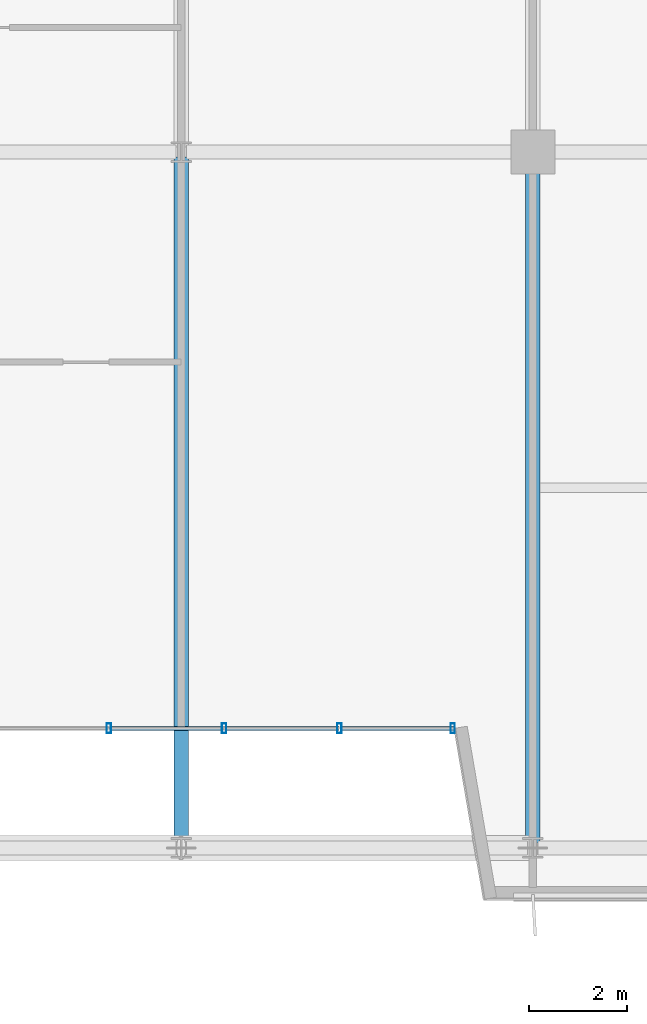
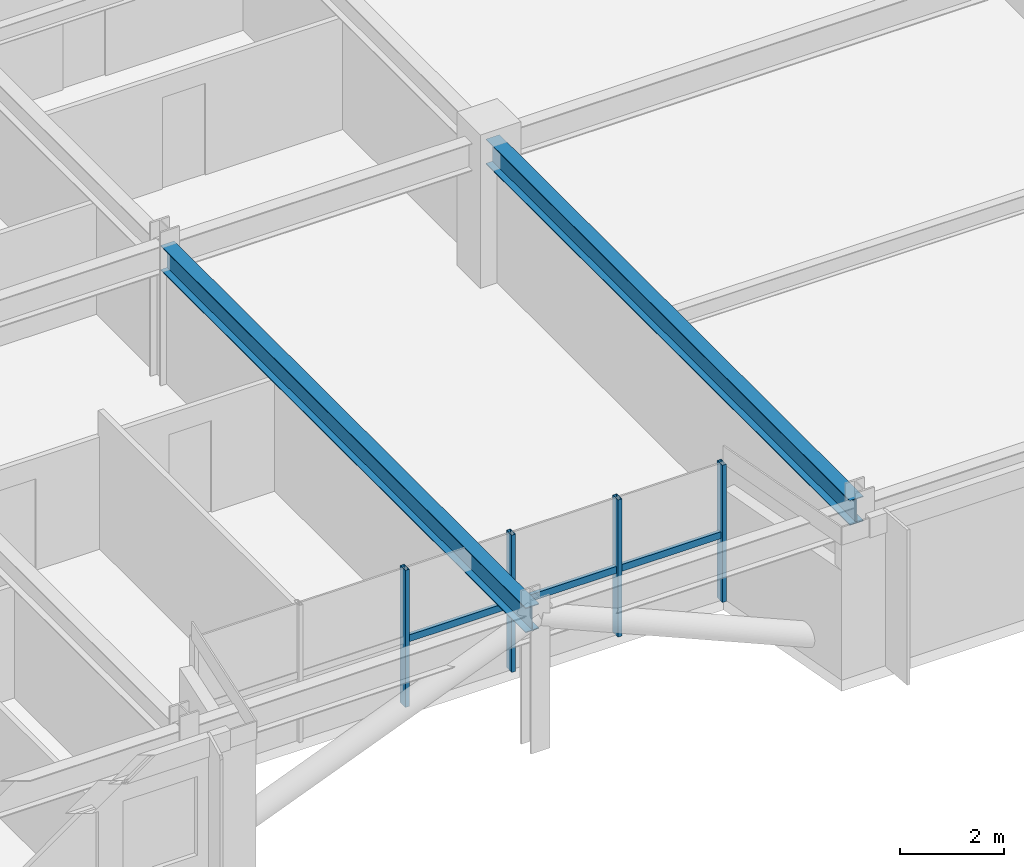
# One storey, part 6 of 25: 7 members, 2 beams, 1 element without a shape of its own.
"""IFC4 building model written with IfcOpenShell, lengths in metres."""

from ifc_helpers import new_model, si_unit, direction, frame, origin, origin_2d, place, context, subcontext, project, spatial, hollow_rectangle, i_section, extrude, source, transform, mapped, material, material_profile, profile_set, type_object, element, aggregate, save


model = new_model("IFC4")

# Units and contexts
model_context = context("Model", 3, precision=1e-05, world=origin(), true_north=direction((0.0, 1.0)))
body_context = subcontext(model_context, "Body", "Model", "MODEL_VIEW")
ifc_project = project(units=[si_unit("LENGTHUNIT", "METRE"), si_unit("AREAUNIT", "SQUARE_METRE"), si_unit("VOLUMEUNIT", "CUBIC_METRE"), si_unit("PLANEANGLEUNIT", "RADIAN"), si_unit("MASSUNIT", "GRAM", prefix="KILO")], contexts=[model_context])

# Site, building, storey
site_placement = place(None, origin())
site = spatial("IfcSite", under=ifc_project, at=site_placement, CompositionType="ELEMENT")
building_placement = place(site_placement, origin())
building = spatial("IfcBuilding", under=site, at=building_placement, Name="Trelvane Seafront Commons", CompositionType="ELEMENT")
storey_placement = place(building_placement, frame((0.0, 0.0, 70.300048828125)))
storey = spatial("IfcBuildingStorey", under=building, at=storey_placement, Name="L18", CompositionType="ELEMENT", Elevation=70.300048828125)

# Beams
ifc_material_1 = material(Name="Steel SM355 (S355)", Category="steel")
ifc_material_profile_1 = material_profile(ifc_material_1, i_section(OverallWidth=0.300048828125, OverallDepth=0.587890625, WebThickness=0.011962890625, FlangeThickness=0.02001953125, at=origin_2d()), Name="H-588x300x12x20")
ifc_profile_set_1 = profile_set([ifc_material_profile_1], Name="Steel SM355 (S355)")
beam_type = type_object("IfcBeamType", Name="STR-BM-H588", PredefinedType="BEAM", material=ifc_profile_set_1)
shared_shape_1 = source(origin(), body_context, "Body", "SweptSolid", [
    extrude(i_section(OverallWidth=0.300048828125, OverallDepth=0.587890625, WebThickness=0.011962890625, FlangeThickness=0.02001953125, at=origin_2d()), origin(), (0.0, 0.0, 1.0), 14.0400390625),
])
beam_1_placement = place(storey_placement, frame((23.39990234375, 4.054931640625, 2.926025390625), z_axis=(0.0, 1.0, 0.0), x_axis=(-1.0, 0.0, 0.0)))
element("IfcBeam", 1, at=beam_1_placement, inside=storey, type_object=beam_type, Name="L18 Primary Girder G-46", PredefinedType="BEAM", context=body_context, shape_type="MappedRepresentation", body=[
    mapped(shared_shape_1, transform((0.0, 0.0, 0.0), x_axis=(1.0, 0.0, 0.0), y_axis=(0.0, 1.0, 0.0), z_axis=(0.0, 0.0, 1.0), scale=1.0)),
])
shared_shape_2 = source(origin(), body_context, "Body", "SweptSolid", [
    extrude(i_section(OverallWidth=0.300048828125, OverallDepth=0.587890625, WebThickness=0.011962890625, FlangeThickness=0.02001953125, at=origin_2d()), origin(), (0.0, 0.0, 1.0), 13.9951171875),
])
beam_2_placement = place(storey_placement, frame((30.60009765625, 4.054931640625, 2.926025390625), z_axis=(0.0, 1.0, 0.0), x_axis=(-1.0, 0.0, 0.0)))
element("IfcBeam", 2, at=beam_2_placement, inside=storey, type_object=beam_type, Name="L18 Primary Girder G-49", PredefinedType="BEAM", context=body_context, shape_type="MappedRepresentation", body=[
    mapped(shared_shape_2, transform((0.0, 0.0, 0.0), x_axis=(1.0, 0.0, 0.0), y_axis=(0.0, 1.0, 0.0), z_axis=(0.0, 0.0, 1.0), scale=1.0)),
])

# Curtain wall, members
ifc_material_2 = material(Name="Anodised pale-silver aluminium", Category="aluminium")
curtain_wall_type = type_object("IfcCurtainWallType", Name="ARCH-CW3-PORTAL", PredefinedType="NOTDEFINED", material=ifc_material_2)
curtain_wall_placement = place(storey_placement, origin())
curtain_wall = element("IfcCurtainWall", 3, at=curtain_wall_placement, inside=storey, type_object=curtain_wall_type, Name="CW-L18-VN-0044", PredefinedType="NOTDEFINED")
ifc_material_profile_2 = material_profile(ifc_material_2, hollow_rectangle(XDim=0.080078125, YDim=0.159912109375, WallThickness=0.00439453125, at=origin_2d()), Name="TRAN-80x160x4.5")
ifc_profile_set_2 = profile_set([ifc_material_profile_2], Name="Anodised pale-silver aluminium")
member_type_1 = type_object("IfcMemberType", Name="ARCH-CW-TRAN-160", PredefinedType="USERDEFINED", material=ifc_profile_set_2)
shared_shape_3 = source(origin(), body_context, "Body", "SweptSolid", [
    extrude(hollow_rectangle(XDim=0.080078125, YDim=0.159912109375, WallThickness=0.00439453125, at=origin_2d()), origin(), (0.0, 0.0, 1.0), 2.3359375),
])
member_1_placement = place(storey_placement, frame((28.988037109375, 6.39990234375, 1.5458984375), z_axis=(-1.0, 0.0, 0.0), x_axis=(0.0, -1.0, 0.0)))
member_1 = element("IfcMember", 4, at=member_1_placement, type_object=member_type_1, Name="CW-L18-VN-0044-T00", ObjectType="TRANSOM", PredefinedType="USERDEFINED", context=body_context, shape_type="MappedRepresentation", body=[
    mapped(shared_shape_3, transform((0.0, 0.0, 0.0), x_axis=(1.0, 0.0, 0.0), y_axis=(0.0, 1.0, 0.0), z_axis=(0.0, 0.0, 1.0), scale=1.0)),
])
member_2_placement = place(storey_placement, frame((26.6279296875, 6.39990234375, 1.5458984375), z_axis=(-1.0, 0.0, 0.0), x_axis=(0.0, -1.0, 0.0)))
member_2 = element("IfcMember", 5, at=member_2_placement, type_object=member_type_1, Name="CW-L18-VN-0044-T01", ObjectType="TRANSOM", PredefinedType="USERDEFINED", context=body_context, shape_type="MappedRepresentation", body=[
    mapped(shared_shape_3, transform((0.0, 0.0, 0.0), x_axis=(1.0, 0.0, 0.0), y_axis=(0.0, 1.0, 0.0), z_axis=(0.0, 0.0, 1.0), scale=1.0)),
])
shared_shape_4 = source(origin(), body_context, "Body", "SweptSolid", [
    extrude(hollow_rectangle(XDim=0.080078125, YDim=0.159912109375, WallThickness=0.00439453125, at=origin_2d()), origin(), (0.0, 0.0, 1.0), 2.336181640625),
])
member_3_placement = place(storey_placement, frame((24.26806640625, 6.39990234375, 1.5458984375), z_axis=(-1.0, 0.0, 0.0), x_axis=(0.0, -1.0, 0.0)))
member_3 = element("IfcMember", 6, at=member_3_placement, type_object=member_type_1, Name="CW-L18-VN-0044-T02", ObjectType="TRANSOM", PredefinedType="USERDEFINED", context=body_context, shape_type="MappedRepresentation", body=[
    mapped(shared_shape_4, transform((0.0, 0.0, 0.0), x_axis=(1.0, 0.0, 0.0), y_axis=(0.0, 1.0, 0.0), z_axis=(0.0, 0.0, 1.0), scale=1.0)),
])
ifc_material_profile_3 = material_profile(ifc_material_2, hollow_rectangle(XDim=0.090087890625, YDim=0.199951171875, WallThickness=0.0048828125, at=origin_2d()), Name="MULL-90x200x5")
ifc_profile_set_3 = profile_set([ifc_material_profile_3], Name="Anodised pale-silver aluminium")
member_type_2 = type_object("IfcMemberType", Name="ARCH-CW-MULL-200", PredefinedType="MULLION", material=ifc_profile_set_3)
shared_shape_5 = source(origin(), body_context, "Body", "SweptSolid", [
    extrude(hollow_rectangle(XDim=0.090087890625, YDim=0.199951171875, WallThickness=0.0048828125, at=origin_2d()), origin(), (0.0, 0.0, 1.0), 3.219970703125),
])
member_4_placement = place(storey_placement, frame((28.9599609375, 6.39990234375, 0.0), z_axis=(0.0, 0.0, 1.0), x_axis=(1.0, 0.0, 0.0)))
member_4 = element("IfcMember", 7, at=member_4_placement, type_object=member_type_2, Name="CW-L18-VN-0044-M00", PredefinedType="MULLION", context=body_context, shape_type="MappedRepresentation", body=[
    mapped(shared_shape_5, transform((0.0, 0.0, 0.0), x_axis=(1.0, 0.0, 0.0), y_axis=(0.0, 1.0, 0.0), z_axis=(0.0, 0.0, 1.0), scale=1.0)),
])
member_5_placement = place(storey_placement, frame((26.639892578125, 6.39990234375, 0.0), z_axis=(0.0, 0.0, 1.0), x_axis=(1.0, 0.0, 0.0)))
member_5 = element("IfcMember", 8, at=member_5_placement, type_object=member_type_2, Name="CW-L18-VN-0044-M01", PredefinedType="MULLION", context=body_context, shape_type="MappedRepresentation", body=[
    mapped(shared_shape_5, transform((0.0, 0.0, 0.0), x_axis=(1.0, 0.0, 0.0), y_axis=(0.0, 1.0, 0.0), z_axis=(0.0, 0.0, 1.0), scale=1.0)),
])
member_6_placement = place(storey_placement, frame((24.280029296875, 6.39990234375, 0.0), z_axis=(0.0, 0.0, 1.0), x_axis=(1.0, 0.0, 0.0)))
member_6 = element("IfcMember", 9, at=member_6_placement, type_object=member_type_2, Name="CW-L18-VN-0044-M02", PredefinedType="MULLION", context=body_context, shape_type="MappedRepresentation", body=[
    mapped(shared_shape_5, transform((0.0, 0.0, 0.0), x_axis=(1.0, 0.0, 0.0), y_axis=(0.0, 1.0, 0.0), z_axis=(0.0, 0.0, 1.0), scale=1.0)),
])
member_7_placement = place(storey_placement, frame((21.919921875, 6.39990234375, 0.0), z_axis=(0.0, 0.0, 1.0), x_axis=(1.0, 0.0, 0.0)))
member_7 = element("IfcMember", 10, at=member_7_placement, type_object=member_type_2, Name="CW-L18-VN-0044-M03", PredefinedType="MULLION", context=body_context, shape_type="MappedRepresentation", body=[
    mapped(shared_shape_5, transform((0.0, 0.0, 0.0), x_axis=(1.0, 0.0, 0.0), y_axis=(0.0, 1.0, 0.0), z_axis=(0.0, 0.0, 1.0), scale=1.0)),
])
aggregate(curtain_wall, [member_4, member_5, member_6, member_7, member_1, member_2, member_3])

save(model, "model.ifc")
